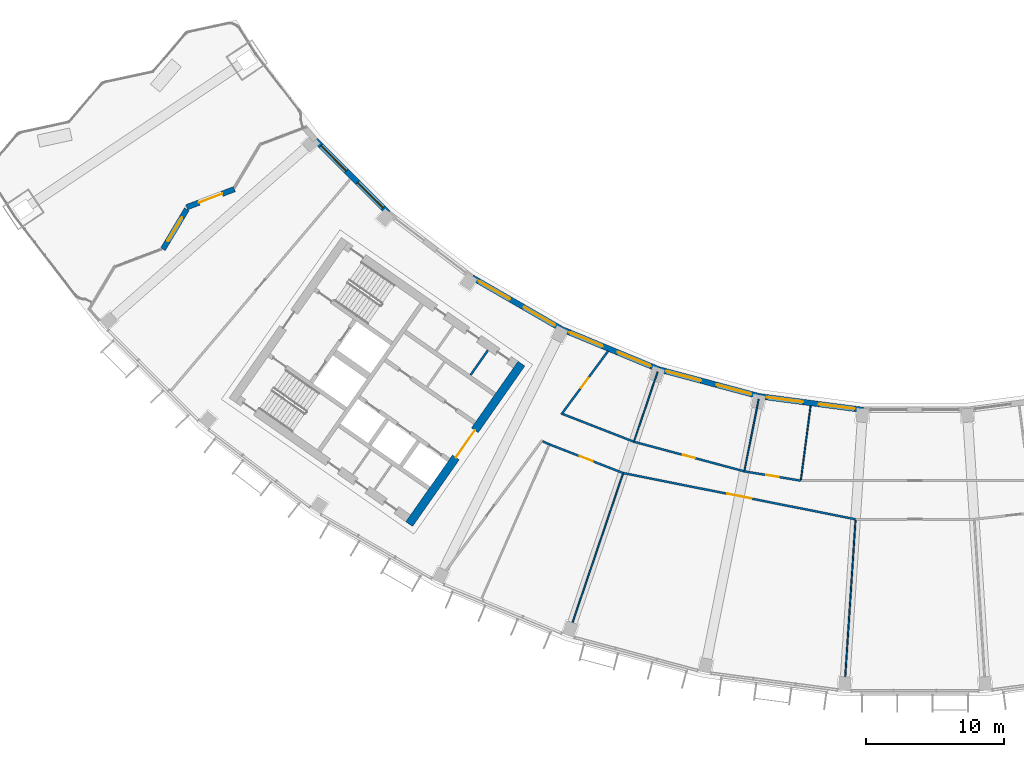
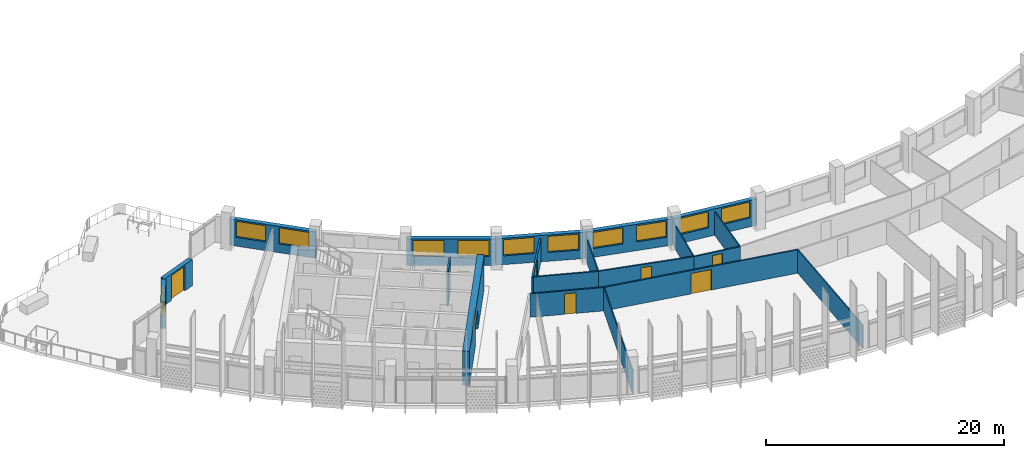
# One storey, part 3 of 29: 21 walls, 11 windows, 7 doors, 18 openings.
"""IFC4 building model written with IfcOpenShell, lengths in metres."""

from ifc_helpers import new_model, si_unit, direction, frame, frame_2d, origin, place, context, subcontext, project, spatial, rectangle, extrude, material, layer, layer_set, type_object, element, fill, save


model = new_model("IFC4")

# Units and contexts
model_context = context("Model", 3, precision=1e-05, world=origin(), true_north=direction((0.0, 1.0)))
body_context = subcontext(model_context, "Body", "Model", "MODEL_VIEW")
ifc_project = project(units=[si_unit("LENGTHUNIT", "METRE"), si_unit("AREAUNIT", "SQUARE_METRE"), si_unit("VOLUMEUNIT", "CUBIC_METRE"), si_unit("PLANEANGLEUNIT", "RADIAN"), si_unit("MASSUNIT", "GRAM", prefix="KILO")], contexts=[model_context])

# Site, building, storey
site_placement = place(None, origin())
site = spatial("IfcSite", under=ifc_project, at=site_placement, CompositionType="ELEMENT")
building_placement = place(site_placement, origin())
building = spatial("IfcBuilding", under=site, at=building_placement, Name="Qamariyya Broadcast Tower", CompositionType="ELEMENT")
storey_placement = place(building_placement, frame((0.0, 0.0, 258.10009765625)))
storey = spatial("IfcBuildingStorey", under=building, at=storey_placement, Name="L62", CompositionType="ELEMENT", Elevation=258.10009765625)

# Wall, opening, door
ifc_material_1 = material(Name="Concrete C60/75", Category="concrete")
ifc_layer_1 = layer(ifc_material_1, 0.60009765625)
ifc_layer_set_1 = layer_set([ifc_layer_1], Name="Core wall 600 mm Concrete C60/75")
wall_type_1 = type_object("IfcWallType", Name="Core wall 600 mm Concrete C60/75", PredefinedType="SHEAR", material=ifc_layer_set_1)
wall_1_placement = place(storey_placement, frame((-36.66748046875, -66.005126953125, 0.0), z_axis=(0.0, 0.0, 1.0), x_axis=(0.573568499524, 0.819157601658, 0.0)))
wall_1 = element("IfcWall", 1, at=wall_1_placement, inside=storey, type_object=wall_type_1, Name="k-W-L62-WA", PredefinedType="SHEAR", context=body_context, shape_type="SweptSolid", body=[
    extrude(rectangle(XDim=14.19970703125, YDim=0.60009765625, at=frame_2d((7.099853515625, 0.0))), origin(), (0.0, 0.0, 1.0), 3.5),
])
opening_1_placement = place(wall_1_placement, frame((5.89990234375, 0.0, 0.0)))
opening_1 = element("IfcOpeningElement", 2, at=opening_1_placement, cuts=wall_1, Name="Opening KD3-W1", PredefinedType="OPENING", context=body_context, shape_type="SweptSolid", body=[
    extrude(rectangle(XDim=2.39990234375, YDim=2.10009765625, at=frame_2d((1.199951171875, 1.050048828125))), frame((0.0, 0.31005859375, 0.0), z_axis=(0.0, -1.0, 0.0), x_axis=(1.0, 0.0, 0.0)), (0.0, 0.0, 1.0), 0.6201171875),
])
ifc_material_2 = material(Name="Steel fire-resisting door leaf", Category="steel")
door_type_1 = type_object("IfcDoorType", Name="Lift lobby door KD3", OperationType="DOUBLE_DOOR_SINGLE_SWING", PredefinedType="DOOR", material=ifc_material_2)
door_1_placement = place(opening_1_placement, origin())
door_1 = element("IfcDoor", 3, at=door_1_placement, inside=storey, type_object=door_type_1, Name="k-W-L62-WA-D1", OperationType="DOUBLE_DOOR_SINGLE_SWING", OverallHeight=2.10009765625, OverallWidth=2.39990234375, PredefinedType="DOOR", context=body_context, shape_type="SweptSolid", body=[
    extrude(rectangle(XDim=2.39990234375, YDim=2.10009765625, at=frame_2d((1.199951171875, 1.050048828125))), frame((0.0, 0.02490234375, 0.0), z_axis=(0.0, -1.0, 0.0), x_axis=(1.0, 0.0, 0.0)), (0.0, 0.0, 1.0), 0.050048828125),
])
fill(opening_1, door_1)

# Wall
ifc_material_3 = material(Name="Gypsum board partition")
ifc_layer_2 = layer(ifc_material_3, 0.14990234375)
ifc_layer_set_2 = layer_set([ifc_layer_2], Name="Corridor partition 150 EI 60")
wall_type_2 = type_object("IfcWallType", Name="Corridor partition 150 EI 60", PredefinedType="PARTITIONING", material=ifc_layer_set_2)
wall_2_placement = place(storey_placement, frame((-26.98876953125, -60.010009765625, 0.0), z_axis=(0.0, 0.0, 1.0), x_axis=(0.913357192507, -0.407159230395, 0.0)))
element("IfcWall", 4, at=wall_2_placement, inside=storey, type_object=wall_type_2, Name="Partition L62-004", PredefinedType="PARTITIONING", context=body_context, shape_type="SweptSolid", body=[
    extrude(rectangle(XDim=0.532470703125, YDim=0.14990234375, at=frame_2d((0.26611328125, 0.0))), origin(), (0.0, 0.0, 1.0), 2.39990234375),
])

# Wall, opening, door
wall_3_placement = place(storey_placement, frame((-21.150634765625, -62.30810546875, 0.0), z_axis=(0.0, 0.0, 1.0), x_axis=(-0.932002277836, 0.362452416338, 0.0)))
wall_3 = element("IfcWall", 5, at=wall_3_placement, inside=storey, type_object=wall_type_2, Name="Partition L62-005", PredefinedType="PARTITIONING", context=body_context, shape_type="SweptSolid", body=[
    extrude(rectangle(XDim=5.7421875, YDim=0.14990234375, at=frame_2d((2.87109375, 0.0))), origin(), (0.0, 0.0, 1.0), 2.39990234375),
])
opening_2_placement = place(wall_3_placement, frame((2.37109375, 0.0, 0.0)))
opening_2 = element("IfcOpeningElement", 6, at=opening_2_placement, cuts=wall_3, Name="Opening L62-D02", PredefinedType="OPENING", context=body_context, shape_type="SweptSolid", body=[
    extrude(rectangle(XDim=1.0, YDim=2.10009765625, at=frame_2d((0.5, 1.050048828125))), frame((0.0, 0.0849609375, 0.0), z_axis=(0.0, -1.0, 0.0), x_axis=(1.0, 0.0, 0.0)), (0.0, 0.0, 1.0), 0.169921875),
])
ifc_material_4 = material(Name="Timber fire door leaf", Category="wood")
door_type_2 = type_object("IfcDoorType", Name="Fire door 1000 x 2100 FD60", OperationType="NOTDEFINED", PredefinedType="DOOR", material=ifc_material_4)
door_2_placement = place(opening_2_placement, origin())
door_2 = element("IfcDoor", 7, at=door_2_placement, inside=storey, type_object=door_type_2, Name="Door L62-D02", OperationType="SINGLE_SWING_RIGHT", OverallHeight=2.10009765625, OverallWidth=1.0, PredefinedType="DOOR", context=body_context, shape_type="SweptSolid", body=[
    extrude(rectangle(XDim=1.0, YDim=2.10009765625, at=frame_2d((0.5, 1.050048828125))), frame((0.0, 0.02490234375, 0.0), z_axis=(0.0, -1.0, 0.0), x_axis=(1.0, 0.0, 0.0)), (0.0, 0.0, 1.0), 0.050048828125),
])
fill(opening_2, door_2)

# Wall
wall_4_placement = place(storey_placement, frame((-25.5283203125, -58.02978515625, 0.0), z_axis=(0.0, 0.0, 1.0), x_axis=(0.931811353016, -0.362942974019, 0.0)))
element("IfcWall", 8, at=wall_4_placement, inside=storey, type_object=wall_type_2, Name="Partition L62-006", PredefinedType="PARTITIONING", context=body_context, shape_type="SweptSolid", body=[
    extrude(rectangle(XDim=5.52587890625, YDim=0.14990234375, at=frame_2d((2.762939453125, 0.0))), origin(), (0.0, 0.0, 1.0), 2.39990234375),
])

# Wall, opening, door
wall_5_placement = place(storey_placement, frame((-22.251953125, -53.469482421875, 0.0), z_axis=(0.0, 0.0, 1.0), x_axis=(-0.593872728047, -0.804558999006, 0.0)))
wall_5 = element("IfcWall", 9, at=wall_5_placement, inside=storey, type_object=wall_type_2, Name="Partition L62-008", PredefinedType="PARTITIONING", context=body_context, shape_type="SweptSolid", body=[
    extrude(rectangle(XDim=5.709228515625, YDim=0.14990234375, at=frame_2d((2.8544921875, 0.0))), origin(), (0.0, 0.0, 1.0), 2.39990234375),
])
opening_3_placement = place(wall_5_placement, frame((2.404541015625, 0.0, 0.0)))
opening_3 = element("IfcOpeningElement", 10, at=opening_3_placement, cuts=wall_5, Name="Opening L62-D08", PredefinedType="OPENING", context=body_context, shape_type="SweptSolid", body=[
    extrude(rectangle(XDim=0.89990234375, YDim=2.10009765625, at=frame_2d((0.449951171875, 1.050048828125))), frame((0.0, 0.0849609375, 0.0), z_axis=(0.0, -1.0, 0.0), x_axis=(1.0, 0.0, 0.0)), (0.0, 0.0, 1.0), 0.169921875),
])
door_type_3 = type_object("IfcDoorType", Name="Fire door 900 x 2100 FD60", OperationType="NOTDEFINED", PredefinedType="DOOR", material=ifc_material_4)
door_3_placement = place(opening_3_placement, origin())
door_3 = element("IfcDoor", 11, at=door_3_placement, inside=storey, type_object=door_type_3, Name="Door L62-D08", OperationType="SINGLE_SWING_RIGHT", OverallHeight=2.10009765625, OverallWidth=0.89990234375, PredefinedType="DOOR", context=body_context, shape_type="SweptSolid", body=[
    extrude(rectangle(XDim=0.89990234375, YDim=2.10009765625, at=frame_2d((0.449951171875, 1.050048828125))), frame((0.0, 0.02490234375, 0.0), z_axis=(0.0, -1.0, 0.0), x_axis=(1.0, 0.0, 0.0)), (0.0, 0.0, 1.0), 0.050048828125),
])
fill(opening_3, door_3)

wall_6_placement = place(storey_placement, frame((-4.303466796875, -65.6591796875, 0.0), z_axis=(0.0, 0.0, 1.0), x_axis=(-0.980785679695, 0.195088314632, 0.0)))
wall_6 = element("IfcWall", 12, at=wall_6_placement, inside=storey, type_object=wall_type_2, Name="Partition L62-009", PredefinedType="PARTITIONING", context=body_context, shape_type="SweptSolid", body=[
    extrude(rectangle(XDim=17.17724609375, YDim=0.14990234375, at=frame_2d((8.588623046875, 0.0))), origin(), (0.0, 0.0, 1.0), 2.39990234375),
])
opening_4_placement = place(wall_6_placement, frame((7.688720703125, 0.0, 0.0)))
opening_4 = element("IfcOpeningElement", 13, at=opening_4_placement, cuts=wall_6, Name="Opening L62-D03", PredefinedType="OPENING", context=body_context, shape_type="SweptSolid", body=[
    extrude(rectangle(XDim=1.800048828125, YDim=2.10009765625, at=frame_2d((0.89990234375, 1.050048828125))), frame((0.0, 0.0849609375, 0.0), z_axis=(0.0, -1.0, 0.0), x_axis=(1.0, 0.0, 0.0)), (0.0, 0.0, 1.0), 0.169921875),
])
door_type_4 = type_object("IfcDoorType", Name="Double fire door 1800 x 2100 FD60", OperationType="NOTDEFINED", PredefinedType="DOOR", material=ifc_material_4)
door_4_placement = place(opening_4_placement, origin())
door_4 = element("IfcDoor", 14, at=door_4_placement, inside=storey, type_object=door_type_4, Name="Door L62-D03", OperationType="DOUBLE_DOOR_SINGLE_SWING", OverallHeight=2.10009765625, OverallWidth=1.800048828125, PredefinedType="DOOR", context=body_context, shape_type="SweptSolid", body=[
    extrude(rectangle(XDim=1.800048828125, YDim=2.10009765625, at=frame_2d((0.89990234375, 1.050048828125))), frame((0.0, 0.02490234375, 0.0), z_axis=(0.0, -1.0, 0.0), x_axis=(1.0, 0.0, 0.0)), (0.0, 0.0, 1.0), 0.050048828125),
])
fill(opening_4, door_4)

wall_7_placement = place(storey_placement, frame((-20.379150390625, -60.035400390625, 0.0), z_axis=(0.0, 0.0, 1.0), x_axis=(0.965923478141, -0.258827808351, 0.0)))
wall_7 = element("IfcWall", 15, at=wall_7_placement, inside=storey, type_object=wall_type_2, Name="Partition L62-010", PredefinedType="PARTITIONING", context=body_context, shape_type="SweptSolid", body=[
    extrude(rectangle(XDim=8.293212890625, YDim=0.14990234375, at=frame_2d((4.146484375, 0.0))), origin(), (0.0, 0.0, 1.0), 2.39990234375),
])
opening_5_placement = place(wall_7_placement, frame((3.696533203125, 0.0, 0.0)))
opening_5 = element("IfcOpeningElement", 16, at=opening_5_placement, cuts=wall_7, Name="Opening L62-D09", PredefinedType="OPENING", context=body_context, shape_type="SweptSolid", body=[
    extrude(rectangle(XDim=0.89990234375, YDim=2.10009765625, at=frame_2d((0.449951171875, 1.050048828125))), frame((0.0, 0.0849609375, 0.0), z_axis=(0.0, -1.0, 0.0), x_axis=(1.0, 0.0, 0.0)), (0.0, 0.0, 1.0), 0.169921875),
])
door_5_placement = place(opening_5_placement, origin())
door_5 = element("IfcDoor", 17, at=door_5_placement, inside=storey, type_object=door_type_3, Name="Door L62-D09", OperationType="SINGLE_SWING_RIGHT", OverallHeight=2.10009765625, OverallWidth=0.89990234375, PredefinedType="DOOR", context=body_context, shape_type="SweptSolid", body=[
    extrude(rectangle(XDim=0.89990234375, YDim=2.10009765625, at=frame_2d((0.449951171875, 1.050048828125))), frame((0.0, 0.02490234375, 0.0), z_axis=(0.0, -1.0, 0.0), x_axis=(1.0, 0.0, 0.0)), (0.0, 0.0, 1.0), 0.050048828125),
])
fill(opening_5, door_5)

wall_8_placement = place(storey_placement, frame((-12.36865234375, -62.181884765625, 0.0), z_axis=(0.0, 0.0, 1.0), x_axis=(0.986644067936, -0.162891016345, 0.0)))
wall_8 = element("IfcWall", 18, at=wall_8_placement, inside=storey, type_object=wall_type_2, Name="Partition L62-012", PredefinedType="PARTITIONING", context=body_context, shape_type="SweptSolid", body=[
    extrude(rectangle(XDim=4.148681640625, YDim=0.14990234375, at=frame_2d((2.07421875, 0.0))), origin(), (0.0, 0.0, 1.0), 2.39990234375),
])
opening_6_placement = place(wall_8_placement, frame((1.62451171875, 0.0, 0.0)))
opening_6 = element("IfcOpeningElement", 19, at=opening_6_placement, cuts=wall_8, Name="Opening L62-D10", PredefinedType="OPENING", context=body_context, shape_type="SweptSolid", body=[
    extrude(rectangle(XDim=0.89990234375, YDim=2.10009765625, at=frame_2d((0.449951171875, 1.050048828125))), frame((0.0, 0.0849609375, 0.0), z_axis=(0.0, -1.0, 0.0), x_axis=(1.0, 0.0, 0.0)), (0.0, 0.0, 1.0), 0.169921875),
])
door_6_placement = place(opening_6_placement, origin())
door_6 = element("IfcDoor", 20, at=door_6_placement, inside=storey, type_object=door_type_3, Name="Door L62-D10", OperationType="SINGLE_SWING_RIGHT", OverallHeight=2.10009765625, OverallWidth=0.89990234375, PredefinedType="DOOR", context=body_context, shape_type="SweptSolid", body=[
    extrude(rectangle(XDim=0.89990234375, YDim=2.10009765625, at=frame_2d((0.449951171875, 1.050048828125))), frame((0.0, 0.02490234375, 0.0), z_axis=(0.0, -1.0, 0.0), x_axis=(1.0, 0.0, 0.0)), (0.0, 0.0, 1.0), 0.050048828125),
])
fill(opening_6, door_6)

# Walls
ifc_material_5 = material(Name="Gypsum board partition on steel studs", Category="steel")
ifc_layer_3 = layer(ifc_material_5, 0.14990234375)
ifc_layer_set_3 = layer_set([ifc_layer_3], Name="Gypsum board partition 150 mm")
wall_type_3 = type_object("IfcWallType", Name="Gypsum board partition 150 mm", PredefinedType="PARTITIONING", material=ifc_layer_set_3)
wall_9_placement = place(storey_placement, frame((-32.2177734375, -55.204345703125, 0.0), z_axis=(0.0, 0.0, 1.0), x_axis=(0.573581496053, 0.819148501424, 0.0)))
element("IfcWall", 21, at=wall_9_placement, inside=storey, type_object=wall_type_3, Name="k-W-L62-NP225", PredefinedType="PARTITIONING", context=body_context, shape_type="SweptSolid", body=[
    extrude(rectangle(XDim=2.2001953125, YDim=0.14990234375, at=frame_2d((1.10009765625, 0.0))), origin(), (0.0, 0.0, 1.0), 3.5),
])
ifc_layer_4 = layer(ifc_material_3, 0.10009765625)
ifc_layer_set_4 = layer_set([ifc_layer_4], Name="Partition 100")
wall_type_4 = type_object("IfcWallType", Name="Partition 100", PredefinedType="PARTITIONING", material=ifc_layer_set_4)
wall_10_placement = place(storey_placement, frame((-25.12060546875, -74.002685546875, 0.0), z_axis=(0.0, 0.0, 1.0), x_axis=(0.321443803948, 0.946928656712, 0.0)))
element("IfcWall", 22, at=wall_10_placement, inside=storey, type_object=wall_type_4, Name="Partition L62-007", PredefinedType="PARTITIONING", context=body_context, shape_type="SweptSolid", body=[
    extrude(rectangle(XDim=12.275146484375, YDim=0.10009765625, at=frame_2d((6.1376953125, 0.0))), origin(), (0.0, 0.0, 1.0), 2.39990234375),
])
wall_11_placement = place(storey_placement, frame((-18.65966796875, -54.96923828125, 0.0), z_axis=(0.0, 0.0, 1.0), x_axis=(-0.321429748592, -0.946933427818, 0.0)))
element("IfcWall", 23, at=wall_11_placement, inside=storey, type_object=wall_type_4, Name="Partition L62-011", PredefinedType="PARTITIONING", context=body_context, shape_type="SweptSolid", body=[
    extrude(rectangle(XDim=5.275146484375, YDim=0.10009765625, at=frame_2d((2.6376953125, 0.0))), origin(), (0.0, 0.0, 1.0), 2.39990234375),
])
wall_12_placement = place(storey_placement, frame((-11.324951171875, -56.9345703125, 0.0), z_axis=(0.0, 0.0, 1.0), x_axis=(-0.195083555743, -0.980786626274, 0.0)))
element("IfcWall", 24, at=wall_12_placement, inside=storey, type_object=wall_type_4, Name="Partition L62-013", PredefinedType="PARTITIONING", context=body_context, shape_type="SweptSolid", body=[
    extrude(rectangle(XDim=5.27490234375, YDim=0.10009765625, at=frame_2d((2.637451171875, 0.0))), origin(), (0.0, 0.0, 1.0), 2.39990234375),
])
wall_13_placement = place(storey_placement, frame((-7.56103515625, -57.430908203125, 0.0), z_axis=(0.0, 0.0, 1.0), x_axis=(-0.130516514475, -0.991446135425, 0.0)))
element("IfcWall", 25, at=wall_13_placement, inside=storey, type_object=wall_type_4, Name="Partition L62-015", PredefinedType="PARTITIONING", context=body_context, shape_type="SweptSolid", body=[
    extrude(rectangle(XDim=5.3984375, YDim=0.10009765625, at=frame_2d((2.69921875, 0.0))), origin(), (0.0, 0.0, 1.0), 2.39990234375),
])
wall_14_placement = place(storey_placement, frame((-5.111328125, -77.982666015625, 0.0), z_axis=(0.0, 0.0, 1.0), x_axis=(0.065415386497, 0.997858119779, 0.0)))
element("IfcWall", 26, at=wall_14_placement, inside=storey, type_object=wall_type_4, Name="Partition L62-016", PredefinedType="PARTITIONING", context=body_context, shape_type="SweptSolid", body=[
    extrude(rectangle(XDim=12.275146484375, YDim=0.10009765625, at=frame_2d((6.1376953125, 0.0))), origin(), (0.0, 0.0, 1.0), 2.39990234375),
])

# Wall, opening, door
ifc_material_6 = material(Name="Terracotta", Category="masonry")
ifc_layer_5 = layer(ifc_material_6, 0.39990234375)
ifc_layer_set_5 = layer_set([ifc_layer_5], Name="Terracotta clad wall 400")
wall_type_5 = type_object("IfcWallType", Name="Terracotta clad wall 400", PredefinedType="SOLIDWALL", material=ifc_layer_set_5)
wall_15_placement = place(storey_placement, frame((-49.3408203125, -41.721923828125, 0.0), z_axis=(0.0, 0.0, 1.0), x_axis=(-0.934705082872, -0.355424264862, 0.0)))
wall_15 = element("IfcWall", 27, at=wall_15_placement, inside=storey, type_object=wall_type_5, Name="e-wl-L62-capW2", PredefinedType="SOLIDWALL", context=body_context, shape_type="SweptSolid", body=[
    extrude(rectangle(XDim=3.6982421875, YDim=0.39990234375, at=frame_2d((1.84912109375, 0.0))), origin(), (0.0, 0.0, 1.0), 2.699951171875),
])
opening_7_placement = place(wall_15_placement, frame((0.948974609375, 0.0, 0.0)))
opening_7 = element("IfcOpeningElement", 28, at=opening_7_placement, cuts=wall_15, Name="Opening ED5", PredefinedType="OPENING", context=body_context, shape_type="SweptSolid", body=[
    extrude(rectangle(XDim=1.800048828125, YDim=2.550048828125, at=frame_2d((0.89990234375, 1.27490234375))), frame((0.0, 0.2099609375, 0.0), z_axis=(0.0, -1.0, 0.0), x_axis=(1.0, 0.0, 0.0)), (0.0, 0.0, 1.0), 0.419921875),
])
ifc_material_7 = material(Name="Toughened glass in stainless steel frame", Category="steel")
door_type_5 = type_object("IfcDoorType", Name="Terrace door 1800 x 2550", OperationType="DOUBLE_DOOR_DOUBLE_SWING", PredefinedType="DOOR", material=ifc_material_7)
door_7_placement = place(opening_7_placement, origin())
door_7 = element("IfcDoor", 29, at=door_7_placement, inside=storey, type_object=door_type_5, Name="e-ed-L62-terraceW", OperationType="DOUBLE_DOOR_DOUBLE_SWING", OverallHeight=2.550048828125, OverallWidth=1.800048828125, PredefinedType="DOOR", context=body_context, shape_type="SweptSolid", body=[
    extrude(rectangle(XDim=1.800048828125, YDim=2.550048828125, at=frame_2d((0.89990234375, 1.27490234375))), frame((0.0, 0.02490234375, 0.0), z_axis=(0.0, -1.0, 0.0), x_axis=(1.0, 0.0, 0.0)), (0.0, 0.0, 1.0), 0.050048828125),
])
fill(opening_7, door_7)

# Wall, opening, window
wall_16_placement = place(storey_placement, frame((-52.79443359375, -43.182373046875, 0.0), z_axis=(0.0, 0.0, 1.0), x_axis=(-0.512428225336, -0.858730058795, 0.0)))
wall_16 = element("IfcWall", 30, at=wall_16_placement, inside=storey, type_object=wall_type_5, Name="e-wl-L62-capW3", PredefinedType="SOLIDWALL", context=body_context, shape_type="SweptSolid", body=[
    extrude(rectangle(XDim=3.371337890625, YDim=0.39990234375, at=frame_2d((1.685546875, 0.0))), origin(), (0.0, 0.0, 1.0), 2.699951171875),
])
opening_8_placement = place(wall_16_placement, frame((0.685791015625, 0.0, 0.89990234375)))
opening_8 = element("IfcOpeningElement", 31, at=opening_8_placement, cuts=wall_16, Name="Opening W4", PredefinedType="OPENING", context=body_context, shape_type="SweptSolid", body=[
    extrude(rectangle(XDim=2.0, YDim=1.5, at=frame_2d((1.0, 0.75))), frame((0.0, 0.2099609375, 0.0), z_axis=(0.0, -1.0, 0.0), x_axis=(1.0, 0.0, 0.0)), (0.0, 0.0, 1.0), 0.419921875),
])
ifc_material_8 = material(Name="Clear low-e double glazed unit in aluminium frame", Category="aluminium")
window_type_1 = type_object("IfcWindowType", Name="Horn bay window 2000 x 1500", PartitioningType="SINGLE_PANEL", PredefinedType="WINDOW", material=ifc_material_8)
window_1_placement = place(opening_8_placement, origin())
window_1 = element("IfcWindow", 32, at=window_1_placement, inside=storey, type_object=window_type_1, Name="e-w-L62-capW3", OverallHeight=1.5, OverallWidth=2.0, PartitioningType="SINGLE_PANEL", PredefinedType="WINDOW", context=body_context, shape_type="SweptSolid", body=[
    extrude(rectangle(XDim=2.0, YDim=1.5, at=frame_2d((1.0, 0.75))), frame((0.0, 0.030029296875, 0.0), z_axis=(0.0, -1.0, 0.0), x_axis=(1.0, 0.0, 0.0)), (0.0, 0.0, 1.0), 0.06005859375),
])
fill(opening_8, window_1)

# Wall, openings, windows
wall_17_placement = place(storey_placement, frame((-38.17919921875, -43.45849609375, 0.0), z_axis=(0.0, 0.0, 1.0), x_axis=(-0.707106781187, 0.707106781187, 0.0)))
wall_17 = element("IfcWall", 33, at=wall_17_placement, inside=storey, type_object=wall_type_5, Name="e-wl-L62-in10", PredefinedType="SOLIDWALL", context=body_context, shape_type="SweptSolid", body=[
    extrude(rectangle(XDim=7.481201171875, YDim=0.39990234375, at=frame_2d((3.74072265625, 0.0))), origin(), (0.0, 0.0, 1.0), 2.699951171875),
])
opening_9_placement = place(wall_17_placement, frame((4.318115234375, 0.0, 0.89990234375)))
opening_9 = element("IfcOpeningElement", 34, at=opening_9_placement, cuts=wall_17, Name="Opening W1", PredefinedType="OPENING", context=body_context, shape_type="SweptSolid", body=[
    extrude(rectangle(XDim=2.60009765625, YDim=1.64990234375, at=frame_2d((1.300048828125, 0.824951171875))), frame((0.0, 0.2099609375, 0.0), z_axis=(0.0, -1.0, 0.0), x_axis=(1.0, 0.0, 0.0)), (0.0, 0.0, 1.0), 0.419921875),
])
opening_10_placement = place(wall_17_placement, frame((0.547607421875, 0.0, 0.89990234375)))
opening_10 = element("IfcOpeningElement", 35, at=opening_10_placement, cuts=wall_17, Name="Opening W1", PredefinedType="OPENING", context=body_context, shape_type="SweptSolid", body=[
    extrude(rectangle(XDim=2.60009765625, YDim=1.64990234375, at=frame_2d((1.300048828125, 0.824951171875))), frame((0.0, 0.2099609375, 0.0), z_axis=(0.0, -1.0, 0.0), x_axis=(1.0, 0.0, 0.0)), (0.0, 0.0, 1.0), 0.419921875),
])
window_type_2 = type_object("IfcWindowType", Name="Ribbon window 2600 x 1650", PartitioningType="SINGLE_PANEL", PredefinedType="WINDOW", material=ifc_material_8)
window_2_placement = place(opening_9_placement, origin())
window_2 = element("IfcWindow", 36, at=window_2_placement, inside=storey, type_object=window_type_2, Name="e-w-L62-in01-0", OverallHeight=1.64990234375, OverallWidth=2.60009765625, PartitioningType="SINGLE_PANEL", PredefinedType="WINDOW", context=body_context, shape_type="SweptSolid", body=[
    extrude(rectangle(XDim=2.60009765625, YDim=1.64990234375, at=frame_2d((1.300048828125, 0.824951171875))), frame((0.0, 0.030029296875, 0.0), z_axis=(0.0, -1.0, 0.0), x_axis=(1.0, 0.0, 0.0)), (0.0, 0.0, 1.0), 0.06005859375),
])
fill(opening_9, window_2)
window_3_placement = place(opening_10_placement, origin())
window_3 = element("IfcWindow", 37, at=window_3_placement, inside=storey, type_object=window_type_2, Name="e-w-L62-in01-1", OverallHeight=1.64990234375, OverallWidth=2.60009765625, PartitioningType="SINGLE_PANEL", PredefinedType="WINDOW", context=body_context, shape_type="SweptSolid", body=[
    extrude(rectangle(XDim=2.60009765625, YDim=1.64990234375, at=frame_2d((1.300048828125, 0.824951171875))), frame((0.0, 0.030029296875, 0.0), z_axis=(0.0, -1.0, 0.0), x_axis=(1.0, 0.0, 0.0)), (0.0, 0.0, 1.0), 0.06005859375),
])
fill(opening_10, window_3)

wall_18_placement = place(storey_placement, frame((-25.630615234375, -51.859130859375, 0.0), z_axis=(0.0, 0.0, 1.0), x_axis=(-0.866016763373, 0.500014965334, 0.0)))
wall_18 = element("IfcWall", 38, at=wall_18_placement, inside=storey, type_object=wall_type_5, Name="e-wl-L62-in30", PredefinedType="SOLIDWALL", context=body_context, shape_type="SweptSolid", body=[
    extrude(rectangle(XDim=7.465576171875, YDim=0.39990234375, at=frame_2d((3.73291015625, 0.0))), origin(), (0.0, 0.0, 1.0), 2.699951171875),
])
opening_11_placement = place(wall_18_placement, frame((4.318115234375, 0.0, 0.89990234375)))
opening_11 = element("IfcOpeningElement", 39, at=opening_11_placement, cuts=wall_18, Name="Opening W1", PredefinedType="OPENING", context=body_context, shape_type="SweptSolid", body=[
    extrude(rectangle(XDim=2.60009765625, YDim=1.64990234375, at=frame_2d((1.300048828125, 0.824951171875))), frame((0.0, 0.2099609375, 0.0), z_axis=(0.0, -1.0, 0.0), x_axis=(1.0, 0.0, 0.0)), (0.0, 0.0, 1.0), 0.419921875),
])
opening_12_placement = place(wall_18_placement, frame((0.547607421875, 0.0, 0.89990234375)))
opening_12 = element("IfcOpeningElement", 40, at=opening_12_placement, cuts=wall_18, Name="Opening W1", PredefinedType="OPENING", context=body_context, shape_type="SweptSolid", body=[
    extrude(rectangle(XDim=2.60009765625, YDim=1.64990234375, at=frame_2d((1.300048828125, 0.824951171875))), frame((0.0, 0.2099609375, 0.0), z_axis=(0.0, -1.0, 0.0), x_axis=(1.0, 0.0, 0.0)), (0.0, 0.0, 1.0), 0.419921875),
])
window_4_placement = place(opening_11_placement, origin())
window_4 = element("IfcWindow", 41, at=window_4_placement, inside=storey, type_object=window_type_2, Name="e-w-L62-in03-0", OverallHeight=1.64990234375, OverallWidth=2.60009765625, PartitioningType="SINGLE_PANEL", PredefinedType="WINDOW", context=body_context, shape_type="SweptSolid", body=[
    extrude(rectangle(XDim=2.60009765625, YDim=1.64990234375, at=frame_2d((1.300048828125, 0.824951171875))), frame((0.0, 0.030029296875, 0.0), z_axis=(0.0, -1.0, 0.0), x_axis=(1.0, 0.0, 0.0)), (0.0, 0.0, 1.0), 0.06005859375),
])
fill(opening_11, window_4)
window_5_placement = place(opening_12_placement, origin())
window_5 = element("IfcWindow", 42, at=window_5_placement, inside=storey, type_object=window_type_2, Name="e-w-L62-in03-1", OverallHeight=1.64990234375, OverallWidth=2.60009765625, PartitioningType="SINGLE_PANEL", PredefinedType="WINDOW", context=body_context, shape_type="SweptSolid", body=[
    extrude(rectangle(XDim=2.60009765625, YDim=1.64990234375, at=frame_2d((1.300048828125, 0.824951171875))), frame((0.0, 0.030029296875, 0.0), z_axis=(0.0, -1.0, 0.0), x_axis=(1.0, 0.0, 0.0)), (0.0, 0.0, 1.0), 0.06005859375),
])
fill(opening_12, window_5)

wall_19_placement = place(storey_placement, frame((-18.572265625, -54.789794921875, 0.0), z_axis=(0.0, 0.0, 1.0), x_axis=(-0.923887531937, 0.382664119472, 0.0)))
wall_19 = element("IfcWall", 43, at=wall_19_placement, inside=storey, type_object=wall_type_5, Name="e-wl-L62-in40", PredefinedType="SOLIDWALL", context=body_context, shape_type="SweptSolid", body=[
    extrude(rectangle(XDim=7.6171875, YDim=0.39990234375, at=frame_2d((3.80859375, 0.0))), origin(), (0.0, 0.0, 1.0), 2.699951171875),
])
opening_13_placement = place(wall_19_placement, frame((4.393798828125, 0.0, 0.89990234375)))
opening_13 = element("IfcOpeningElement", 44, at=opening_13_placement, cuts=wall_19, Name="Opening W1", PredefinedType="OPENING", context=body_context, shape_type="SweptSolid", body=[
    extrude(rectangle(XDim=2.60009765625, YDim=1.64990234375, at=frame_2d((1.300048828125, 0.824951171875))), frame((0.0, 0.2099609375, 0.0), z_axis=(0.0, -1.0, 0.0), x_axis=(1.0, 0.0, 0.0)), (0.0, 0.0, 1.0), 0.419921875),
])
opening_14_placement = place(wall_19_placement, frame((0.623291015625, 0.0, 0.89990234375)))
opening_14 = element("IfcOpeningElement", 45, at=opening_14_placement, cuts=wall_19, Name="Opening W1", PredefinedType="OPENING", context=body_context, shape_type="SweptSolid", body=[
    extrude(rectangle(XDim=2.60009765625, YDim=1.64990234375, at=frame_2d((1.300048828125, 0.824951171875))), frame((0.0, 0.2099609375, 0.0), z_axis=(0.0, -1.0, 0.0), x_axis=(1.0, 0.0, 0.0)), (0.0, 0.0, 1.0), 0.419921875),
])
window_6_placement = place(opening_13_placement, origin())
window_6 = element("IfcWindow", 46, at=window_6_placement, inside=storey, type_object=window_type_2, Name="e-w-L62-in04-0", OverallHeight=1.64990234375, OverallWidth=2.60009765625, PartitioningType="SINGLE_PANEL", PredefinedType="WINDOW", context=body_context, shape_type="SweptSolid", body=[
    extrude(rectangle(XDim=2.60009765625, YDim=1.64990234375, at=frame_2d((1.300048828125, 0.824951171875))), frame((0.0, 0.030029296875, 0.0), z_axis=(0.0, -1.0, 0.0), x_axis=(1.0, 0.0, 0.0)), (0.0, 0.0, 1.0), 0.06005859375),
])
fill(opening_13, window_6)
window_7_placement = place(opening_14_placement, origin())
window_7 = element("IfcWindow", 47, at=window_7_placement, inside=storey, type_object=window_type_2, Name="e-w-L62-in04-1", OverallHeight=1.64990234375, OverallWidth=2.60009765625, PartitioningType="SINGLE_PANEL", PredefinedType="WINDOW", context=body_context, shape_type="SweptSolid", body=[
    extrude(rectangle(XDim=2.60009765625, YDim=1.64990234375, at=frame_2d((1.300048828125, 0.824951171875))), frame((0.0, 0.030029296875, 0.0), z_axis=(0.0, -1.0, 0.0), x_axis=(1.0, 0.0, 0.0)), (0.0, 0.0, 1.0), 0.06005859375),
])
fill(opening_14, window_7)

wall_20_placement = place(storey_placement, frame((-11.3349609375, -56.725830078125, 0.0), z_axis=(0.0, 0.0, 1.0), x_axis=(-0.965923236695, 0.258828709406, 0.0)))
wall_20 = element("IfcWall", 48, at=wall_20_placement, inside=storey, type_object=wall_type_5, Name="e-wl-L62-in50", PredefinedType="SOLIDWALL", context=body_context, shape_type="SweptSolid", body=[
    extrude(rectangle(XDim=7.4658203125, YDim=0.39990234375, at=frame_2d((3.73291015625, 0.0))), origin(), (0.0, 0.0, 1.0), 2.699951171875),
])
opening_15_placement = place(wall_20_placement, frame((4.318115234375, 0.0, 0.89990234375)))
opening_15 = element("IfcOpeningElement", 49, at=opening_15_placement, cuts=wall_20, Name="Opening W1", PredefinedType="OPENING", context=body_context, shape_type="SweptSolid", body=[
    extrude(rectangle(XDim=2.60009765625, YDim=1.64990234375, at=frame_2d((1.300048828125, 0.824951171875))), frame((0.0, 0.2099609375, 0.0), z_axis=(0.0, -1.0, 0.0), x_axis=(1.0, 0.0, 0.0)), (0.0, 0.0, 1.0), 0.419921875),
])
opening_16_placement = place(wall_20_placement, frame((0.547607421875, 0.0, 0.89990234375)))
opening_16 = element("IfcOpeningElement", 50, at=opening_16_placement, cuts=wall_20, Name="Opening W1", PredefinedType="OPENING", context=body_context, shape_type="SweptSolid", body=[
    extrude(rectangle(XDim=2.60009765625, YDim=1.64990234375, at=frame_2d((1.300048828125, 0.824951171875))), frame((0.0, 0.2099609375, 0.0), z_axis=(0.0, -1.0, 0.0), x_axis=(1.0, 0.0, 0.0)), (0.0, 0.0, 1.0), 0.419921875),
])
window_8_placement = place(opening_15_placement, origin())
window_8 = element("IfcWindow", 51, at=window_8_placement, inside=storey, type_object=window_type_2, Name="e-w-L62-in05-0", OverallHeight=1.64990234375, OverallWidth=2.60009765625, PartitioningType="SINGLE_PANEL", PredefinedType="WINDOW", context=body_context, shape_type="SweptSolid", body=[
    extrude(rectangle(XDim=2.60009765625, YDim=1.64990234375, at=frame_2d((1.300048828125, 0.824951171875))), frame((0.0, 0.030029296875, 0.0), z_axis=(0.0, -1.0, 0.0), x_axis=(1.0, 0.0, 0.0)), (0.0, 0.0, 1.0), 0.06005859375),
])
fill(opening_15, window_8)
window_9_placement = place(opening_16_placement, origin())
window_9 = element("IfcWindow", 52, at=window_9_placement, inside=storey, type_object=window_type_2, Name="e-w-L62-in05-1", OverallHeight=1.64990234375, OverallWidth=2.60009765625, PartitioningType="SINGLE_PANEL", PredefinedType="WINDOW", context=body_context, shape_type="SweptSolid", body=[
    extrude(rectangle(XDim=2.60009765625, YDim=1.64990234375, at=frame_2d((1.300048828125, 0.824951171875))), frame((0.0, 0.030029296875, 0.0), z_axis=(0.0, -1.0, 0.0), x_axis=(1.0, 0.0, 0.0)), (0.0, 0.0, 1.0), 0.06005859375),
])
fill(opening_16, window_9)

wall_21_placement = place(storey_placement, frame((-3.7587890625, -57.729736328125, 0.0), z_axis=(0.0, 0.0, 1.0), x_axis=(-0.991446548217, 0.130513378733, 0.0)))
wall_21 = element("IfcWall", 53, at=wall_21_placement, inside=storey, type_object=wall_type_5, Name="e-wl-L62-in60", PredefinedType="SOLIDWALL", context=body_context, shape_type="SweptSolid", body=[
    extrude(rectangle(XDim=7.6171875, YDim=0.39990234375, at=frame_2d((3.80859375, 0.0))), origin(), (0.0, 0.0, 1.0), 2.699951171875),
])
opening_17_placement = place(wall_21_placement, frame((4.393798828125, 0.0, 0.89990234375)))
opening_17 = element("IfcOpeningElement", 54, at=opening_17_placement, cuts=wall_21, Name="Opening W1", PredefinedType="OPENING", context=body_context, shape_type="SweptSolid", body=[
    extrude(rectangle(XDim=2.60009765625, YDim=1.64990234375, at=frame_2d((1.300048828125, 0.824951171875))), frame((0.0, 0.2099609375, 0.0), z_axis=(0.0, -1.0, 0.0), x_axis=(1.0, 0.0, 0.0)), (0.0, 0.0, 1.0), 0.419921875),
])
opening_18_placement = place(wall_21_placement, frame((0.623291015625, 0.0, 0.89990234375)))
opening_18 = element("IfcOpeningElement", 55, at=opening_18_placement, cuts=wall_21, Name="Opening W1", PredefinedType="OPENING", context=body_context, shape_type="SweptSolid", body=[
    extrude(rectangle(XDim=2.60009765625, YDim=1.64990234375, at=frame_2d((1.300048828125, 0.824951171875))), frame((0.0, 0.2099609375, 0.0), z_axis=(0.0, -1.0, 0.0), x_axis=(1.0, 0.0, 0.0)), (0.0, 0.0, 1.0), 0.419921875),
])
window_10_placement = place(opening_17_placement, origin())
window_10 = element("IfcWindow", 56, at=window_10_placement, inside=storey, type_object=window_type_2, Name="e-w-L62-in06-0", OverallHeight=1.64990234375, OverallWidth=2.60009765625, PartitioningType="SINGLE_PANEL", PredefinedType="WINDOW", context=body_context, shape_type="SweptSolid", body=[
    extrude(rectangle(XDim=2.60009765625, YDim=1.64990234375, at=frame_2d((1.300048828125, 0.824951171875))), frame((0.0, 0.030029296875, 0.0), z_axis=(0.0, -1.0, 0.0), x_axis=(1.0, 0.0, 0.0)), (0.0, 0.0, 1.0), 0.06005859375),
])
fill(opening_17, window_10)
window_11_placement = place(opening_18_placement, origin())
window_11 = element("IfcWindow", 57, at=window_11_placement, inside=storey, type_object=window_type_2, Name="e-w-L62-in06-1", OverallHeight=1.64990234375, OverallWidth=2.60009765625, PartitioningType="SINGLE_PANEL", PredefinedType="WINDOW", context=body_context, shape_type="SweptSolid", body=[
    extrude(rectangle(XDim=2.60009765625, YDim=1.64990234375, at=frame_2d((1.300048828125, 0.824951171875))), frame((0.0, 0.030029296875, 0.0), z_axis=(0.0, -1.0, 0.0), x_axis=(1.0, 0.0, 0.0)), (0.0, 0.0, 1.0), 0.06005859375),
])
fill(opening_18, window_11)

save(model, "model.ifc")
